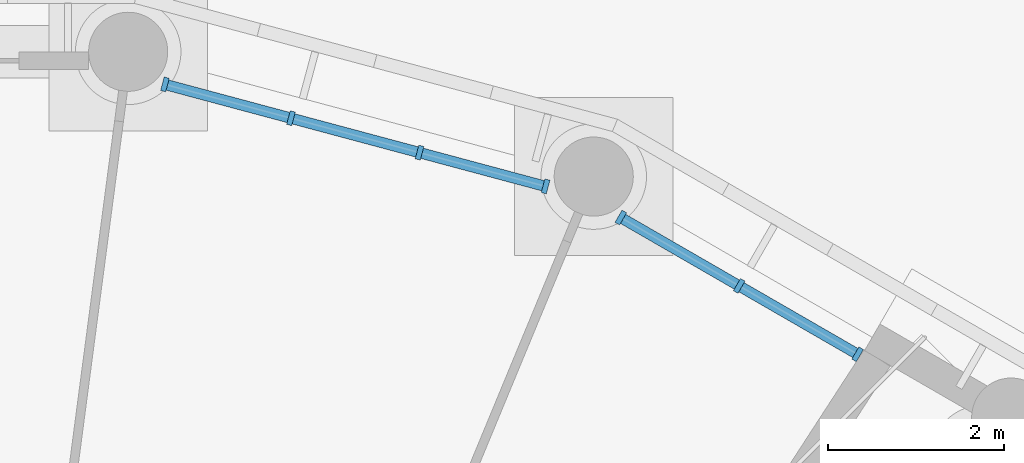
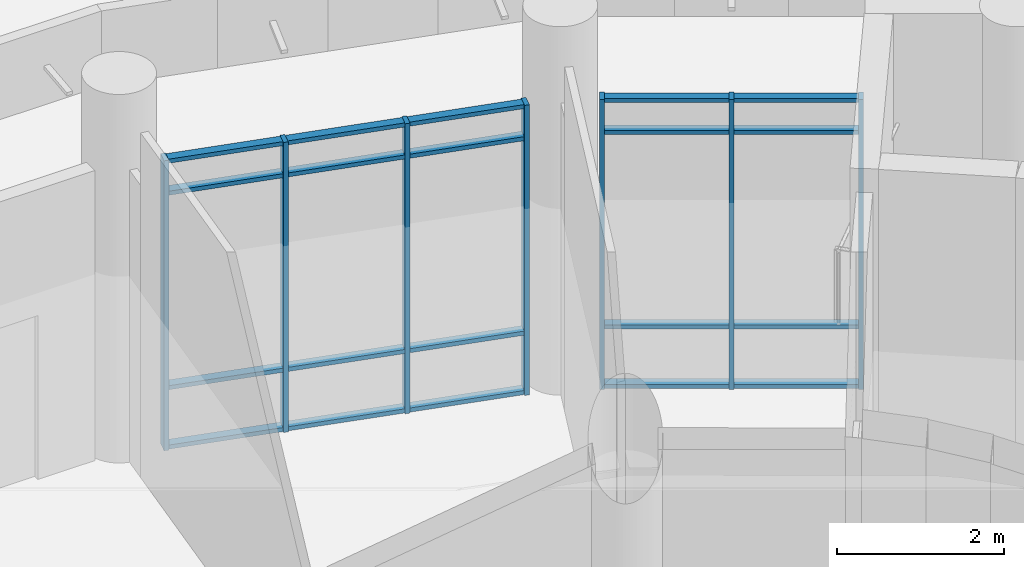
# One storey, part 29 of 146: 27 members, 2 elements without a shape of their own.
"""IFC4 building model written with IfcOpenShell, lengths in metres."""

from ifc_helpers import new_model, si_unit, direction, frame, origin, origin_2d, place, context, subcontext, project, spatial, rectangle, extrude, material, material_profile, profile_set, type_object, element, aggregate, save


model = new_model("IFC4")

# Units and contexts
model_context = context("Model", 3, precision=1e-05, world=origin(), true_north=direction((0.0, 1.0)))
body_context = subcontext(model_context, "Body", "Model", "MODEL_VIEW")
ifc_project = project(units=[si_unit("LENGTHUNIT", "METRE"), si_unit("AREAUNIT", "SQUARE_METRE"), si_unit("VOLUMEUNIT", "CUBIC_METRE"), si_unit("PLANEANGLEUNIT", "RADIAN"), si_unit("MASSUNIT", "GRAM", prefix="KILO")], contexts=[model_context])

# Site, building, storey
site_placement = place(None, origin())
site = spatial("IfcSite", under=ifc_project, at=site_placement, CompositionType="ELEMENT")
building_placement = place(site_placement, origin())
building = spatial("IfcBuilding", under=site, at=building_placement, Name="Bougainvillea Quay General Hospital", CompositionType="ELEMENT")
storey_placement = place(building_placement, origin())
storey = spatial("IfcBuildingStorey", under=building, at=storey_placement, Name="L00", CompositionType="ELEMENT", Elevation=0.0)

# Curtain wall, members
ifc_material_1 = material(Name="Aluminium curtain wall system, powder-coated glazed", Category="aluminium")
curtain_wall_type_1 = type_object("IfcCurtainWallType", Name="Unitised curtain wall CW-1585", PredefinedType="NOTDEFINED", material=ifc_material_1)
curtain_wall_1_placement = place(storey_placement, origin())
curtain_wall_1 = element("IfcCurtainWall", 1, at=curtain_wall_1_placement, inside=storey, type_object=curtain_wall_type_1, Name="CW-D 00", PredefinedType="NOTDEFINED")
ifc_material_2 = material(Name="Aluminium mullion, powder-coated charcoal", Category="aluminium")
ifc_material_profile_1 = material_profile(ifc_material_2, rectangle(XDim=0.159912109375, YDim=0.06005859375, at=origin_2d()))
ifc_profile_set_1 = profile_set([ifc_material_profile_1], Name="Aluminium mullion, powder-coated charcoal")
member_type_1 = type_object("IfcMemberType", Name="Curtain wall mullion 160x60", PredefinedType="MULLION", material=ifc_profile_set_1)
member_1_placement = place(storey_placement, frame((120.2373046875, 91.379638671875, 0.0), z_axis=(0.0, 0.0, 1.0), x_axis=(-0.499964557262, -0.866045865692, 0.0)))
member_1 = element("IfcMember", 2, at=member_1_placement, type_object=member_type_1, Name="CW-D mullion 1", PredefinedType="MULLION", context=body_context, shape_type="SweptSolid", body=[
    extrude(rectangle(XDim=0.159912109375, YDim=0.06005859375, at=origin_2d()), origin(), (0.0, 0.0, 1.0), 4.25),
])
member_2_placement = place(storey_placement, frame((118.890625, 92.1572265625, 0.0), z_axis=(0.0, 0.0, 1.0), x_axis=(-0.499964557262, -0.866045865692, 0.0)))
member_2 = element("IfcMember", 3, at=member_2_placement, type_object=member_type_1, Name="CW-D mullion 2", PredefinedType="MULLION", context=body_context, shape_type="SweptSolid", body=[
    extrude(rectangle(XDim=0.159912109375, YDim=0.06005859375, at=origin_2d()), origin(), (0.0, 0.0, 1.0), 4.25),
])
member_3_placement = place(storey_placement, frame((117.5439453125, 92.9345703125, 0.0), z_axis=(0.0, 0.0, 1.0), x_axis=(-0.499964557262, -0.866045865692, 0.0)))
member_3 = element("IfcMember", 4, at=member_3_placement, type_object=member_type_1, Name="CW-D mullion 3", PredefinedType="MULLION", context=body_context, shape_type="SweptSolid", body=[
    extrude(rectangle(XDim=0.159912109375, YDim=0.06005859375, at=origin_2d()), origin(), (0.0, 0.0, 1.0), 4.25),
])

curtain_wall_type_2 = type_object("IfcCurtainWallType", Name="Unitised curtain wall CW-1514", PredefinedType="NOTDEFINED", material=ifc_material_1)
curtain_wall_2_placement = place(storey_placement, origin())
curtain_wall_2 = element("IfcCurtainWall", 5, at=curtain_wall_2_placement, inside=storey, type_object=curtain_wall_type_2, Name="CW-D 00", PredefinedType="NOTDEFINED")
member_4_placement = place(storey_placement, frame((116.688232421875, 93.2890625, 0.0), z_axis=(0.0, 0.0, 1.0), x_axis=(-0.258854621298, -0.965916292974, 0.0)))
member_4 = element("IfcMember", 6, at=member_4_placement, type_object=member_type_1, Name="CW-D mullion 1", PredefinedType="MULLION", context=body_context, shape_type="SweptSolid", body=[
    extrude(rectangle(XDim=0.159912109375, YDim=0.06005859375, at=origin_2d()), origin(), (0.0, 0.0, 1.0), 4.25),
])
member_5_placement = place(storey_placement, frame((115.2548828125, 93.673095703125, 0.0), z_axis=(0.0, 0.0, 1.0), x_axis=(-0.258854621298, -0.965916292974, 0.0)))
member_5 = element("IfcMember", 7, at=member_5_placement, type_object=member_type_1, Name="CW-D mullion 2", PredefinedType="MULLION", context=body_context, shape_type="SweptSolid", body=[
    extrude(rectangle(XDim=0.159912109375, YDim=0.06005859375, at=origin_2d()), origin(), (0.0, 0.0, 1.0), 4.25),
])
member_6_placement = place(storey_placement, frame((113.792724609375, 94.06494140625, 0.0), z_axis=(0.0, 0.0, 1.0), x_axis=(-0.258854621298, -0.965916292974, 0.0)))
member_6 = element("IfcMember", 8, at=member_6_placement, type_object=member_type_1, Name="CW-D mullion 3", PredefinedType="MULLION", context=body_context, shape_type="SweptSolid", body=[
    extrude(rectangle(XDim=0.159912109375, YDim=0.06005859375, at=origin_2d()), origin(), (0.0, 0.0, 1.0), 4.25),
])
member_7_placement = place(storey_placement, frame((112.359130859375, 94.448974609375, 0.0), z_axis=(0.0, 0.0, 1.0), x_axis=(-0.258854621298, -0.965916292974, 0.0)))
member_7 = element("IfcMember", 9, at=member_7_placement, type_object=member_type_1, Name="CW-D mullion 4", PredefinedType="MULLION", context=body_context, shape_type="SweptSolid", body=[
    extrude(rectangle(XDim=0.159912109375, YDim=0.06005859375, at=origin_2d()), origin(), (0.0, 0.0, 1.0), 4.25),
])

# Member
ifc_material_3 = material(Name="Aluminium transom, powder-coated charcoal", Category="aluminium")
ifc_material_profile_2 = material_profile(ifc_material_3, rectangle(XDim=0.1201171875, YDim=0.06005859375, at=origin_2d()))
ifc_profile_set_2 = profile_set([ifc_material_profile_2], Name="Aluminium transom, powder-coated charcoal")
member_type_2 = type_object("IfcMemberType", Name="Curtain wall transom 120x60", PredefinedType="USERDEFINED", material=ifc_profile_set_2)
member_8_placement = place(storey_placement, frame((120.211181640625, 91.394775390625, 0.030029296875), z_axis=(-0.866074087889, 0.499915667175, 0.0), x_axis=(-0.499915667175, -0.866074087889, 0.0)))
member_8 = element("IfcMember", 10, at=member_8_placement, type_object=member_type_2, Name="CW-D transom 1.1", ObjectType="TRANSOM", PredefinedType="USERDEFINED", context=body_context, shape_type="SweptSolid", body=[
    extrude(rectangle(XDim=0.1201171875, YDim=0.06005859375, at=origin_2d()), origin(), (0.0, 0.0, 1.0), 1.494873046875),
])

member_9_placement = place(storey_placement, frame((120.211181640625, 91.394775390625, 0.89990234375), z_axis=(-0.866074087889, 0.499915667175, 0.0), x_axis=(-0.499915667175, -0.866074087889, 0.0)))
member_9 = element("IfcMember", 11, at=member_9_placement, type_object=member_type_2, Name="CW-D transom 1.2", ObjectType="TRANSOM", PredefinedType="USERDEFINED", context=body_context, shape_type="SweptSolid", body=[
    extrude(rectangle(XDim=0.1201171875, YDim=0.06005859375, at=origin_2d()), origin(), (0.0, 0.0, 1.0), 1.494873046875),
])

member_10_placement = place(storey_placement, frame((120.211181640625, 91.394775390625, 3.75), z_axis=(-0.866074087889, 0.499915667175, 0.0), x_axis=(-0.499915667175, -0.866074087889, 0.0)))
member_10 = element("IfcMember", 12, at=member_10_placement, type_object=member_type_2, Name="CW-D transom 1.3", ObjectType="TRANSOM", PredefinedType="USERDEFINED", context=body_context, shape_type="SweptSolid", body=[
    extrude(rectangle(XDim=0.1201171875, YDim=0.06005859375, at=origin_2d()), origin(), (0.0, 0.0, 1.0), 1.494873046875),
])

member_11_placement = place(storey_placement, frame((120.211181640625, 91.394775390625, 4.219970703125), z_axis=(-0.866074087889, 0.499915667175, 0.0), x_axis=(-0.499915667175, -0.866074087889, 0.0)))
member_11 = element("IfcMember", 13, at=member_11_placement, type_object=member_type_2, Name="CW-D transom 1.4", ObjectType="TRANSOM", PredefinedType="USERDEFINED", context=body_context, shape_type="SweptSolid", body=[
    extrude(rectangle(XDim=0.1201171875, YDim=0.06005859375, at=origin_2d()), origin(), (0.0, 0.0, 1.0), 1.494873046875),
])

member_12_placement = place(storey_placement, frame((118.86474609375, 92.172119140625, 0.030029296875), z_axis=(-0.866074087889, 0.499915667175, 0.0), x_axis=(-0.499915667175, -0.866074087889, 0.0)))
member_12 = element("IfcMember", 14, at=member_12_placement, type_object=member_type_2, Name="CW-D transom 2.1", ObjectType="TRANSOM", PredefinedType="USERDEFINED", context=body_context, shape_type="SweptSolid", body=[
    extrude(rectangle(XDim=0.1201171875, YDim=0.06005859375, at=origin_2d()), origin(), (0.0, 0.0, 1.0), 1.494873046875),
])

member_13_placement = place(storey_placement, frame((118.86474609375, 92.172119140625, 0.89990234375), z_axis=(-0.866074087889, 0.499915667175, 0.0), x_axis=(-0.499915667175, -0.866074087889, 0.0)))
member_13 = element("IfcMember", 15, at=member_13_placement, type_object=member_type_2, Name="CW-D transom 2.2", ObjectType="TRANSOM", PredefinedType="USERDEFINED", context=body_context, shape_type="SweptSolid", body=[
    extrude(rectangle(XDim=0.1201171875, YDim=0.06005859375, at=origin_2d()), origin(), (0.0, 0.0, 1.0), 1.494873046875),
])

member_14_placement = place(storey_placement, frame((118.86474609375, 92.172119140625, 3.75), z_axis=(-0.866074087889, 0.499915667175, 0.0), x_axis=(-0.499915667175, -0.866074087889, 0.0)))
member_14 = element("IfcMember", 16, at=member_14_placement, type_object=member_type_2, Name="CW-D transom 2.3", ObjectType="TRANSOM", PredefinedType="USERDEFINED", context=body_context, shape_type="SweptSolid", body=[
    extrude(rectangle(XDim=0.1201171875, YDim=0.06005859375, at=origin_2d()), origin(), (0.0, 0.0, 1.0), 1.494873046875),
])

member_15_placement = place(storey_placement, frame((118.86474609375, 92.172119140625, 4.219970703125), z_axis=(-0.866074087889, 0.499915667175, 0.0), x_axis=(-0.499915667175, -0.866074087889, 0.0)))
member_15 = element("IfcMember", 17, at=member_15_placement, type_object=member_type_2, Name="CW-D transom 2.4", ObjectType="TRANSOM", PredefinedType="USERDEFINED", context=body_context, shape_type="SweptSolid", body=[
    extrude(rectangle(XDim=0.1201171875, YDim=0.06005859375, at=origin_2d()), origin(), (0.0, 0.0, 1.0), 1.494873046875),
])

aggregate(curtain_wall_1, [member_1, member_2, member_3, member_8, member_9, member_10, member_11, member_12, member_13, member_14, member_15])

member_16_placement = place(storey_placement, frame((116.659423828125, 93.296630859375, 0.030029296875), z_axis=(-0.965909783806, 0.258878909043, 0.0), x_axis=(-0.258878909043, -0.965909783806, 0.0)))
member_16 = element("IfcMember", 18, at=member_16_placement, type_object=member_type_2, Name="CW-D transom 1.1", ObjectType="TRANSOM", PredefinedType="USERDEFINED", context=body_context, shape_type="SweptSolid", body=[
    extrude(rectangle(XDim=0.1201171875, YDim=0.06005859375, at=origin_2d()), origin(), (0.0, 0.0, 1.0), 1.424072265625),
])

member_17_placement = place(storey_placement, frame((116.659423828125, 93.296630859375, 0.89990234375), z_axis=(-0.965909783806, 0.258878909043, 0.0), x_axis=(-0.258878909043, -0.965909783806, 0.0)))
member_17 = element("IfcMember", 19, at=member_17_placement, type_object=member_type_2, Name="CW-D transom 1.2", ObjectType="TRANSOM", PredefinedType="USERDEFINED", context=body_context, shape_type="SweptSolid", body=[
    extrude(rectangle(XDim=0.1201171875, YDim=0.06005859375, at=origin_2d()), origin(), (0.0, 0.0, 1.0), 1.424072265625),
])

member_18_placement = place(storey_placement, frame((116.659423828125, 93.296630859375, 3.75), z_axis=(-0.965909783806, 0.258878909043, 0.0), x_axis=(-0.258878909043, -0.965909783806, 0.0)))
member_18 = element("IfcMember", 20, at=member_18_placement, type_object=member_type_2, Name="CW-D transom 1.3", ObjectType="TRANSOM", PredefinedType="USERDEFINED", context=body_context, shape_type="SweptSolid", body=[
    extrude(rectangle(XDim=0.1201171875, YDim=0.06005859375, at=origin_2d()), origin(), (0.0, 0.0, 1.0), 1.424072265625),
])

member_19_placement = place(storey_placement, frame((116.659423828125, 93.296630859375, 4.219970703125), z_axis=(-0.965909783806, 0.258878909043, 0.0), x_axis=(-0.258878909043, -0.965909783806, 0.0)))
member_19 = element("IfcMember", 21, at=member_19_placement, type_object=member_type_2, Name="CW-D transom 1.4", ObjectType="TRANSOM", PredefinedType="USERDEFINED", context=body_context, shape_type="SweptSolid", body=[
    extrude(rectangle(XDim=0.1201171875, YDim=0.06005859375, at=origin_2d()), origin(), (0.0, 0.0, 1.0), 1.424072265625),
])

member_20_placement = place(storey_placement, frame((115.22607421875, 93.680908203125, 0.030029296875), z_axis=(-0.965947302154, 0.258738882778, 0.0), x_axis=(-0.258738882778, -0.965947302154, 0.0)))
member_20 = element("IfcMember", 22, at=member_20_placement, type_object=member_type_2, Name="CW-D transom 2.1", ObjectType="TRANSOM", PredefinedType="USERDEFINED", context=body_context, shape_type="SweptSolid", body=[
    extrude(rectangle(XDim=0.1201171875, YDim=0.06005859375, at=origin_2d()), origin(), (0.0, 0.0, 1.0), 1.4541015625),
])

member_21_placement = place(storey_placement, frame((115.22607421875, 93.680908203125, 0.89990234375), z_axis=(-0.965947302154, 0.258738882778, 0.0), x_axis=(-0.258738882778, -0.965947302154, 0.0)))
member_21 = element("IfcMember", 23, at=member_21_placement, type_object=member_type_2, Name="CW-D transom 2.2", ObjectType="TRANSOM", PredefinedType="USERDEFINED", context=body_context, shape_type="SweptSolid", body=[
    extrude(rectangle(XDim=0.1201171875, YDim=0.06005859375, at=origin_2d()), origin(), (0.0, 0.0, 1.0), 1.4541015625),
])

member_22_placement = place(storey_placement, frame((115.22607421875, 93.680908203125, 3.75), z_axis=(-0.965947302154, 0.258738882778, 0.0), x_axis=(-0.258738882778, -0.965947302154, 0.0)))
member_22 = element("IfcMember", 24, at=member_22_placement, type_object=member_type_2, Name="CW-D transom 2.3", ObjectType="TRANSOM", PredefinedType="USERDEFINED", context=body_context, shape_type="SweptSolid", body=[
    extrude(rectangle(XDim=0.1201171875, YDim=0.06005859375, at=origin_2d()), origin(), (0.0, 0.0, 1.0), 1.4541015625),
])

member_23_placement = place(storey_placement, frame((115.22607421875, 93.680908203125, 4.219970703125), z_axis=(-0.965947302154, 0.258738882778, 0.0), x_axis=(-0.258738882778, -0.965947302154, 0.0)))
member_23 = element("IfcMember", 25, at=member_23_placement, type_object=member_type_2, Name="CW-D transom 2.4", ObjectType="TRANSOM", PredefinedType="USERDEFINED", context=body_context, shape_type="SweptSolid", body=[
    extrude(rectangle(XDim=0.1201171875, YDim=0.06005859375, at=origin_2d()), origin(), (0.0, 0.0, 1.0), 1.4541015625),
])

member_24_placement = place(storey_placement, frame((113.763671875, 94.07275390625, 0.030029296875), z_axis=(-0.965909783806, 0.258878909043, 0.0), x_axis=(-0.258878909043, -0.965909783806, 0.0)))
member_24 = element("IfcMember", 26, at=member_24_placement, type_object=member_type_2, Name="CW-D transom 3.1", ObjectType="TRANSOM", PredefinedType="USERDEFINED", context=body_context, shape_type="SweptSolid", body=[
    extrude(rectangle(XDim=0.1201171875, YDim=0.06005859375, at=origin_2d()), origin(), (0.0, 0.0, 1.0), 1.424072265625),
])

member_25_placement = place(storey_placement, frame((113.763671875, 94.07275390625, 0.89990234375), z_axis=(-0.965909783806, 0.258878909043, 0.0), x_axis=(-0.258878909043, -0.965909783806, 0.0)))
member_25 = element("IfcMember", 27, at=member_25_placement, type_object=member_type_2, Name="CW-D transom 3.2", ObjectType="TRANSOM", PredefinedType="USERDEFINED", context=body_context, shape_type="SweptSolid", body=[
    extrude(rectangle(XDim=0.1201171875, YDim=0.06005859375, at=origin_2d()), origin(), (0.0, 0.0, 1.0), 1.424072265625),
])

member_26_placement = place(storey_placement, frame((113.763671875, 94.07275390625, 3.75), z_axis=(-0.965909783806, 0.258878909043, 0.0), x_axis=(-0.258878909043, -0.965909783806, 0.0)))
member_26 = element("IfcMember", 28, at=member_26_placement, type_object=member_type_2, Name="CW-D transom 3.3", ObjectType="TRANSOM", PredefinedType="USERDEFINED", context=body_context, shape_type="SweptSolid", body=[
    extrude(rectangle(XDim=0.1201171875, YDim=0.06005859375, at=origin_2d()), origin(), (0.0, 0.0, 1.0), 1.424072265625),
])

member_27_placement = place(storey_placement, frame((113.763671875, 94.07275390625, 4.219970703125), z_axis=(-0.965909783806, 0.258878909043, 0.0), x_axis=(-0.258878909043, -0.965909783806, 0.0)))
member_27 = element("IfcMember", 29, at=member_27_placement, type_object=member_type_2, Name="CW-D transom 3.4", ObjectType="TRANSOM", PredefinedType="USERDEFINED", context=body_context, shape_type="SweptSolid", body=[
    extrude(rectangle(XDim=0.1201171875, YDim=0.06005859375, at=origin_2d()), origin(), (0.0, 0.0, 1.0), 1.424072265625),
])

aggregate(curtain_wall_2, [member_4, member_5, member_6, member_7, member_16, member_17, member_18, member_19, member_20, member_21, member_22, member_23, member_24, member_25, member_26, member_27])

save(model, "model.ifc")
